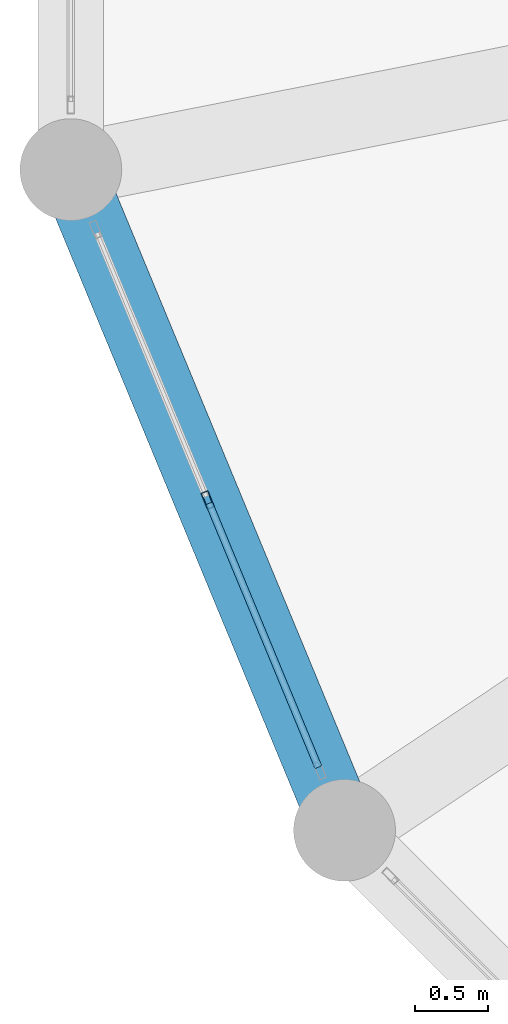
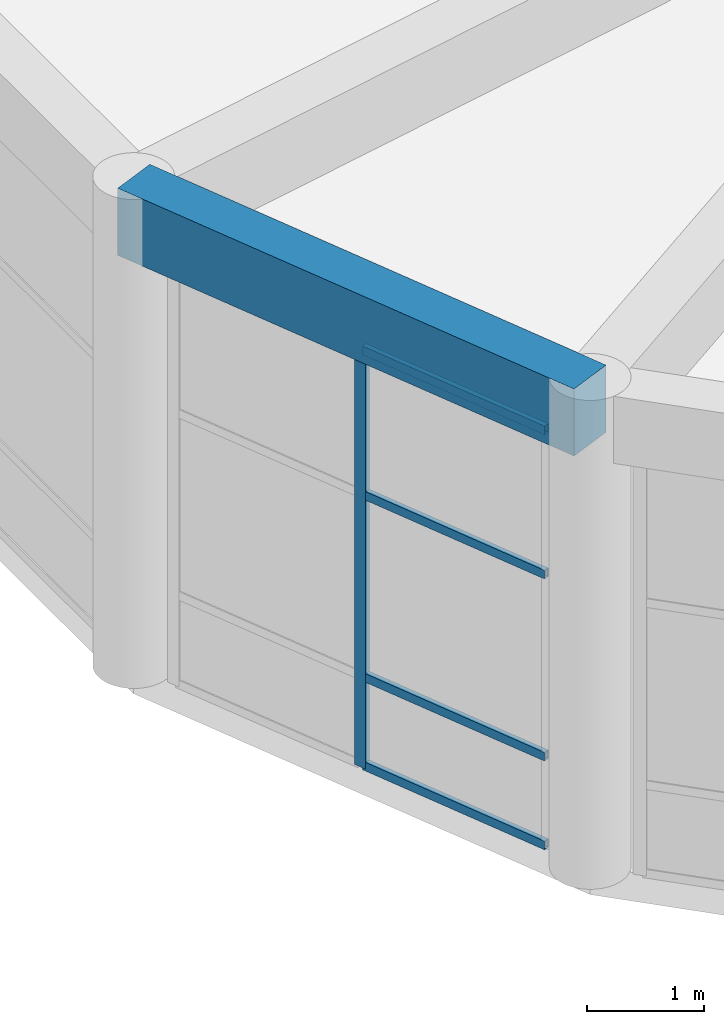
# One storey, part 4 of 95: 5 members, 1 beam, 1 element without a shape of its own.
"""IFC4 building model written with IfcOpenShell, lengths in metres."""

from ifc_helpers import new_model, si_unit, direction, frame, origin, origin_2d, place, context, subcontext, project, spatial, rectangle, hollow_rectangle, extrude, material, material_profile, profile_set, type_object, element, aggregate, save


model = new_model("IFC4")

# Units and contexts
model_context = context("Model", 3, precision=1e-05, world=origin(), true_north=direction((0.0, 1.0)))
body_context = subcontext(model_context, "Body", "Model", "MODEL_VIEW")
ifc_project = project(units=[si_unit("LENGTHUNIT", "METRE"), si_unit("AREAUNIT", "SQUARE_METRE"), si_unit("VOLUMEUNIT", "CUBIC_METRE"), si_unit("PLANEANGLEUNIT", "RADIAN"), si_unit("MASSUNIT", "GRAM", prefix="KILO")], contexts=[model_context])

# Site, building, storey
site_placement = place(None, origin())
site = spatial("IfcSite", under=ifc_project, at=site_placement, CompositionType="ELEMENT")
building_placement = place(site_placement, origin())
building = spatial("IfcBuilding", under=site, at=building_placement, Name="Almacenes y Pasaje Nevantli", CompositionType="ELEMENT")
storey_placement = place(building_placement, frame((0.0, 0.0, 11.39990234375)))
storey = spatial("IfcBuildingStorey", under=building, at=storey_placement, Name="L03", CompositionType="ELEMENT", Elevation=11.39990234375)

# Beam
ifc_material_1 = material(Name="Concrete C35/45", Category="concrete")
ifc_material_profile_1 = material_profile(ifc_material_1, rectangle(XDim=0.449951171875, YDim=0.699951171875, at=origin_2d()), Name="RC-BM-450x700")
ifc_profile_set_1 = profile_set([ifc_material_profile_1], Name="Concrete C35/45")
beam_type = type_object("IfcBeamType", Name="BM-RC-450x700", PredefinedType="SPANDREL", material=ifc_profile_set_1)
beam_placement = place(storey_placement, frame((-3.9580078125, 5.94189453125, 4.75), z_axis=(0.38272458482, -0.923862485532, 0.0), x_axis=(0.923862485532, 0.38272458482, 0.0)))
element("IfcBeam", 1, at=beam_placement, inside=storey, type_object=beam_type, Name="L03 Rotunda Ring Spandrel Beam #9", PredefinedType="SPANDREL", context=body_context, shape_type="SweptSolid", body=[
    extrude(rectangle(XDim=0.449951171875, YDim=0.699951171875, at=origin_2d()), origin(), (0.0, 0.0, 1.0), 4.916259765625),
])

# Curtain wall, members
ifc_material_2 = material(Name="Thermally Broken Aluminium and Low-E Glass", Category="aluminium")
curtain_wall_type = type_object("IfcCurtainWallType", Name="CW-UNIT-ROTUNDA", PredefinedType="USERDEFINED", material=ifc_material_2)
curtain_wall_placement = place(storey_placement, origin())
curtain_wall = element("IfcCurtainWall", 2, at=curtain_wall_placement, inside=storey, type_object=curtain_wall_type, Name="L03 Corner Rotunda Faceted Curtain Wall Facet #9", ObjectType="UNITIZED CURTAIN WALL", PredefinedType="USERDEFINED")
ifc_material_3 = material(Name="Thermally Broken Anodized Aluminium", Category="aluminium")
ifc_material_profile_2 = material_profile(ifc_material_3, hollow_rectangle(XDim=0.050048828125, YDim=0.1201171875, WallThickness=0.003173828125, at=origin_2d()), Name="ALU-MUL-50x120")
ifc_profile_set_2 = profile_set([ifc_material_profile_2], Name="Thermally Broken Anodized Aluminium")
member_type_1 = type_object("IfcMemberType", Name="CW-MUL-140", PredefinedType="MULLION", material=ifc_profile_set_2)
member_1_placement = place(storey_placement, frame((-3.01708984375, 3.6708984375, 0.0), z_axis=(0.0, 0.0, 1.0), x_axis=(0.923873311502, 0.382698450865, 0.0)))
member_1 = element("IfcMember", 3, at=member_1_placement, type_object=member_type_1, Name="CW-L03-061 mullion 2", PredefinedType="MULLION", context=body_context, shape_type="SweptSolid", body=[
    extrude(hollow_rectangle(XDim=0.050048828125, YDim=0.1201171875, WallThickness=0.003173828125, at=origin_2d()), origin(), (0.0, 0.0, 1.0), 4.380126953125),
])
ifc_material_4 = material(Name="Thermally Broken Anodized Aluminium", Category="aluminium")
ifc_material_profile_3 = material_profile(ifc_material_4, hollow_rectangle(XDim=0.050048828125, YDim=0.090087890625, WallThickness=0.0029296875, at=origin_2d()), Name="ALU-TRN-50x90")
ifc_profile_set_3 = profile_set([ifc_material_profile_3], Name="Thermally Broken Anodized Aluminium")
member_type_2 = type_object("IfcMemberType", Name="CW-TRN-100", PredefinedType="USERDEFINED", material=ifc_profile_set_3)
member_2_placement = place(storey_placement, frame((-3.007568359375, 3.647705078125, 0.025146484375), z_axis=(0.382662992588, -0.923887998679, 0.0), x_axis=(0.923887998679, 0.382662992588, 0.0)))
member_2 = element("IfcMember", 4, at=member_2_placement, type_object=member_type_2, Name="CW-L03-061 transom 2.1", ObjectType="TRANSOM", PredefinedType="USERDEFINED", context=body_context, shape_type="SweptSolid", body=[
    extrude(hollow_rectangle(XDim=0.050048828125, YDim=0.090087890625, WallThickness=0.0029296875, at=origin_2d()), origin(), (0.0, 0.0, 1.0), 1.963134765625),
])
member_3_placement = place(storey_placement, frame((-3.007568359375, 3.647705078125, 0.9501953125), z_axis=(0.382662992588, -0.923887998679, 0.0), x_axis=(0.923887998679, 0.382662992588, 0.0)))
member_3 = element("IfcMember", 5, at=member_3_placement, type_object=member_type_2, Name="CW-L03-061 transom 2.2", ObjectType="TRANSOM", PredefinedType="USERDEFINED", context=body_context, shape_type="SweptSolid", body=[
    extrude(hollow_rectangle(XDim=0.050048828125, YDim=0.090087890625, WallThickness=0.0029296875, at=origin_2d()), origin(), (0.0, 0.0, 1.0), 1.963134765625),
])
member_4_placement = place(storey_placement, frame((-3.007568359375, 3.647705078125, 2.85009765625), z_axis=(0.382662992588, -0.923887998679, 0.0), x_axis=(0.923887998679, 0.382662992588, 0.0)))
member_4 = element("IfcMember", 6, at=member_4_placement, type_object=member_type_2, Name="CW-L03-061 transom 2.3", ObjectType="TRANSOM", PredefinedType="USERDEFINED", context=body_context, shape_type="SweptSolid", body=[
    extrude(hollow_rectangle(XDim=0.050048828125, YDim=0.090087890625, WallThickness=0.0029296875, at=origin_2d()), origin(), (0.0, 0.0, 1.0), 1.963134765625),
])
member_5_placement = place(storey_placement, frame((-3.007568359375, 3.647705078125, 4.35498046875), z_axis=(0.382662992588, -0.923887998679, 0.0), x_axis=(0.923887998679, 0.382662992588, 0.0)))
member_5 = element("IfcMember", 7, at=member_5_placement, type_object=member_type_2, Name="CW-L03-061 transom 2.4", ObjectType="TRANSOM", PredefinedType="USERDEFINED", context=body_context, shape_type="SweptSolid", body=[
    extrude(hollow_rectangle(XDim=0.050048828125, YDim=0.090087890625, WallThickness=0.0029296875, at=origin_2d()), origin(), (0.0, 0.0, 1.0), 1.963134765625),
])
aggregate(curtain_wall, [member_1, member_2, member_3, member_4, member_5])

save(model, "model.ifc")
